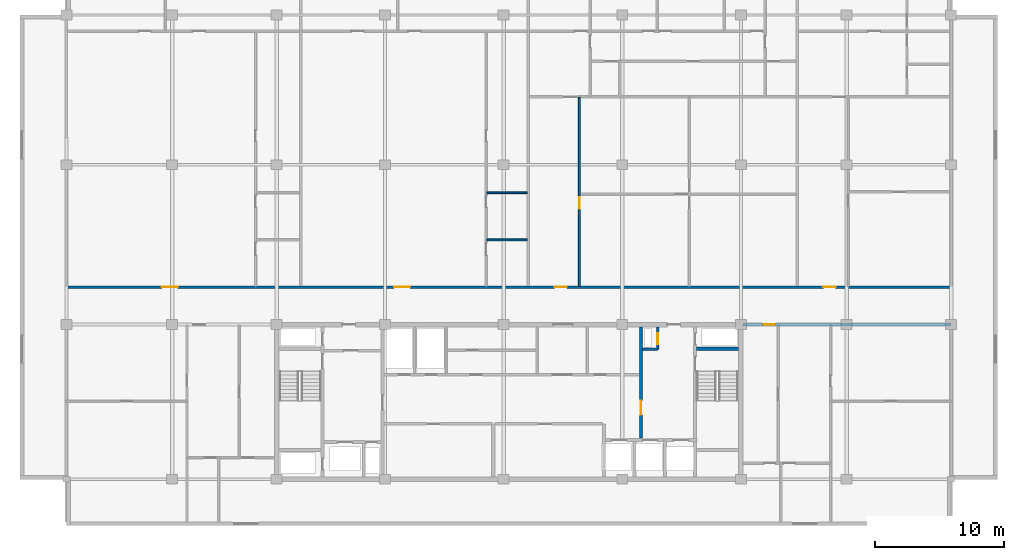
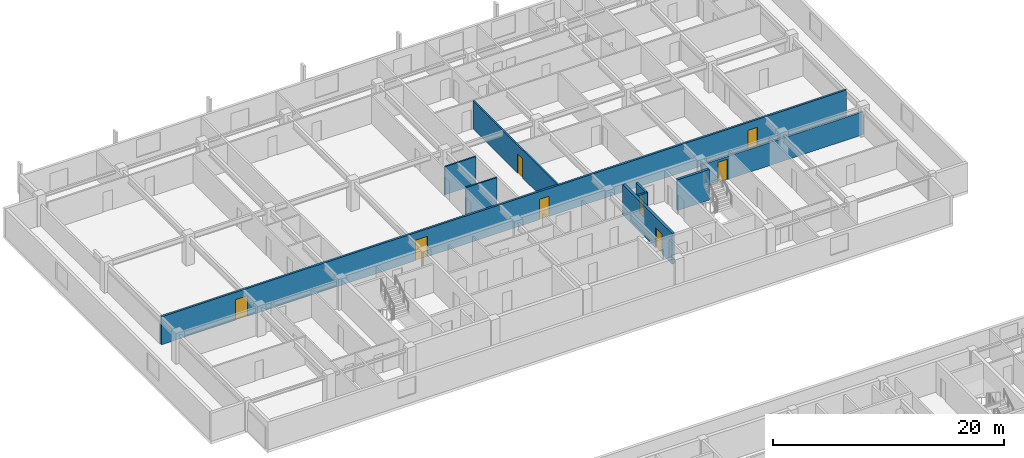
# One storey, part 13 of 22: 9 walls, 8 doors, 8 openings.
"""IFC4 building model written with IfcOpenShell, lengths in metres."""

from ifc_helpers import new_model, si_unit, direction, frame, frame_2d, origin, place, context, subcontext, project, spatial, rectangle, extrude, material, layer, layer_set, type_object, element, fill, save


model = new_model("IFC4")

# Units and contexts
model_context = context("Model", 3, precision=1e-05, world=origin(), true_north=direction((0.0, 1.0)))
body_context = subcontext(model_context, "Body", "Model", "MODEL_VIEW")
ifc_project = project(units=[si_unit("LENGTHUNIT", "METRE"), si_unit("AREAUNIT", "SQUARE_METRE"), si_unit("VOLUMEUNIT", "CUBIC_METRE"), si_unit("PLANEANGLEUNIT", "RADIAN"), si_unit("MASSUNIT", "GRAM", prefix="KILO")], contexts=[model_context])

# Site, building, storey
site_placement = place(None, origin())
site = spatial("IfcSite", under=ifc_project, at=site_placement, CompositionType="ELEMENT")
building_placement = place(site_placement, origin())
building = spatial("IfcBuilding", under=site, at=building_placement, Name="Korimba Cascade Residences", CompositionType="ELEMENT")
storey_placement = place(building_placement, frame((0.0, 0.0, 194.60009765625)))
storey = spatial("IfcBuildingStorey", under=building, at=storey_placement, Name="L56", CompositionType="ELEMENT", Elevation=194.60009765625)

# Wall, opening, door
ifc_material_1 = material(Name="Precast concrete C40/50", Category="concrete")
ifc_layer_1 = layer(ifc_material_1, 0.199951171875)
ifc_layer_set_1 = layer_set([ifc_layer_1], Name="Precast concrete C40/50")
wall_type_1 = type_object("IfcWallType", Name="WAL-IT-200", PredefinedType="PARTITIONING", material=ifc_layer_set_1)
wall_1_placement = place(storey_placement, frame((112.25, 67.199951171875, 0.0), z_axis=(0.0, 0.0, 1.0), x_axis=(1.0, 0.0, 0.0)))
wall_1 = element("IfcWall", 1, at=wall_1_placement, inside=storey, type_object=wall_type_1, Name="L56 Partition Wall WAL-L56-T1-FE-N", PredefinedType="PARTITIONING", context=body_context, shape_type="SweptSolid", body=[
    extrude(rectangle(XDim=16.14990234375, YDim=0.199951171875, at=frame_2d((8.074951171875, 0.0))), origin(), (0.0, 0.0, 1.0), 2.43310546875),
])
opening_1_placement = place(wall_1_placement, frame((1.580078125, 0.0, 0.0)))
opening_1 = element("IfcOpeningElement", 2, at=opening_1_placement, cuts=wall_1, Name="Opening D-UN1", PredefinedType="OPENING", context=body_context, shape_type="SweptSolid", body=[
    extrude(rectangle(XDim=0.949951171875, YDim=2.14990234375, at=frame_2d((0.47509765625, 1.074951171875))), frame((0.0, 0.10986328125, 0.0), z_axis=(0.0, -1.0, 0.0), x_axis=(1.0, 0.0, 0.0)), (0.0, 0.0, 1.0), 0.219970703125),
])
ifc_material_2 = material(Name="Fire-Rated Hardwood Apartment Entrance Door", Category="wood")
door_type_1 = type_object("IfcDoorType", Name="DR-FD60-950", OperationType="NOTDEFINED", PredefinedType="DOOR", material=ifc_material_2)
door_1_placement = place(opening_1_placement, origin())
door_1 = element("IfcDoor", 3, at=door_1_placement, inside=storey, type_object=door_type_1, Name="L56-T1-FE Entrance Door", OperationType="SINGLE_SWING_LEFT", OverallHeight=2.14990234375, OverallWidth=0.949951171875, PredefinedType="DOOR", context=body_context, shape_type="SweptSolid", body=[
    extrude(rectangle(XDim=0.949951171875, YDim=2.14990234375, at=frame_2d((0.47509765625, 1.074951171875))), frame((0.0, 0.02490234375, 0.0), z_axis=(0.0, -1.0, 0.0), x_axis=(1.0, 0.0, 0.0)), (0.0, 0.0, 1.0), 0.050048828125),
])
fill(opening_1, door_1)

# Wall, openings, doors
wall_2_placement = place(storey_placement, frame((59.800048828125, 70.10009765625, 0.0), z_axis=(0.0, 0.0, 1.0), x_axis=(1.0, 0.0, 0.0)))
wall_2 = element("IfcWall", 4, at=wall_2_placement, inside=storey, type_object=wall_type_1, Name="L56 Partition Wall WAL-L56-T1-CORN", PredefinedType="PARTITIONING", context=body_context, shape_type="SweptSolid", body=[
    extrude(rectangle(XDim=68.599853515625, YDim=0.199951171875, at=frame_2d((34.2998046875, 0.0))), origin(), (0.0, 0.0, 1.0), 2.969970703125),
])
opening_2_placement = place(wall_2_placement, frame((7.39404296875, 0.0, 0.0)))
opening_2 = element("IfcOpeningElement", 5, at=opening_2_placement, cuts=wall_2, Name="Opening D-AM1", PredefinedType="OPENING", context=body_context, shape_type="SweptSolid", body=[
    extrude(rectangle(XDim=1.219970703125, YDim=2.179931640625, at=frame_2d((0.60986328125, 1.08984375))), frame((0.0, 0.10986328125, 0.0), z_axis=(0.0, -1.0, 0.0), x_axis=(1.0, 0.0, 0.0)), (0.0, 0.0, 1.0), 0.219970703125),
])
opening_3_placement = place(wall_2_placement, frame((25.414794921875, 0.0, 0.0)))
opening_3 = element("IfcOpeningElement", 6, at=opening_3_placement, cuts=wall_2, Name="Opening D-AM1", PredefinedType="OPENING", context=body_context, shape_type="SweptSolid", body=[
    extrude(rectangle(XDim=1.219970703125, YDim=2.179931640625, at=frame_2d((0.60986328125, 1.08984375))), frame((0.0, 0.10986328125, 0.0), z_axis=(0.0, -1.0, 0.0), x_axis=(1.0, 0.0, 0.0)), (0.0, 0.0, 1.0), 0.219970703125),
])
opening_4_placement = place(wall_2_placement, frame((37.8564453125, 0.0, 0.0)))
opening_4 = element("IfcOpeningElement", 7, at=opening_4_placement, cuts=wall_2, Name="Opening D-UN1", PredefinedType="OPENING", context=body_context, shape_type="SweptSolid", body=[
    extrude(rectangle(XDim=0.949951171875, YDim=2.14990234375, at=frame_2d((0.47509765625, 1.074951171875))), frame((0.0, 0.10986328125, 0.0), z_axis=(0.0, -1.0, 0.0), x_axis=(1.0, 0.0, 0.0)), (0.0, 0.0, 1.0), 0.219970703125),
])
opening_5_placement = place(wall_2_placement, frame((58.697265625, 0.0, 0.0)))
opening_5 = element("IfcOpeningElement", 8, at=opening_5_placement, cuts=wall_2, Name="Opening D-UN1", PredefinedType="OPENING", context=body_context, shape_type="SweptSolid", body=[
    extrude(rectangle(XDim=0.949951171875, YDim=2.14990234375, at=frame_2d((0.47509765625, 1.074951171875))), frame((0.0, 0.10986328125, 0.0), z_axis=(0.0, -1.0, 0.0), x_axis=(1.0, 0.0, 0.0)), (0.0, 0.0, 1.0), 0.219970703125),
])
ifc_material_3 = material(Name="Fire-Rated Glazed Timber Suite Door", Category="wood")
door_type_2 = type_object("IfcDoorType", Name="DR-FD60-1200", OperationType="NOTDEFINED", PredefinedType="DOOR", material=ifc_material_3)
door_2_placement = place(opening_2_placement, origin())
door_2 = element("IfcDoor", 9, at=door_2_placement, inside=storey, type_object=door_type_2, Name="L56-T1-U01 Promenade Design Showroom Door", OperationType="SINGLE_SWING_LEFT", OverallHeight=2.179931640625, OverallWidth=1.219970703125, PredefinedType="DOOR", context=body_context, shape_type="SweptSolid", body=[
    extrude(rectangle(XDim=1.219970703125, YDim=2.179931640625, at=frame_2d((0.60986328125, 1.08984375))), frame((0.0, 0.02490234375, 0.0), z_axis=(0.0, -1.0, 0.0), x_axis=(1.0, 0.0, 0.0)), (0.0, 0.0, 1.0), 0.050048828125),
])
fill(opening_2, door_2)
door_3_placement = place(opening_3_placement, origin())
door_3 = element("IfcDoor", 10, at=door_3_placement, inside=storey, type_object=door_type_2, Name="L56-T1-U02 Architecture Reading Library Door", OperationType="SINGLE_SWING_RIGHT", OverallHeight=2.179931640625, OverallWidth=1.219970703125, PredefinedType="DOOR", context=body_context, shape_type="SweptSolid", body=[
    extrude(rectangle(XDim=1.219970703125, YDim=2.179931640625, at=frame_2d((0.60986328125, 1.08984375))), frame((0.0, 0.02490234375, 0.0), z_axis=(0.0, -1.0, 0.0), x_axis=(1.0, 0.0, 0.0)), (0.0, 0.0, 1.0), 0.050048828125),
])
fill(opening_3, door_3)
door_4_placement = place(opening_4_placement, origin())
door_4 = element("IfcDoor", 11, at=door_4_placement, inside=storey, type_object=door_type_1, Name="Unit L56-T1-U03 Entrance Door", OperationType="SINGLE_SWING_LEFT", OverallHeight=2.14990234375, OverallWidth=0.949951171875, PredefinedType="DOOR", context=body_context, shape_type="SweptSolid", body=[
    extrude(rectangle(XDim=0.949951171875, YDim=2.14990234375, at=frame_2d((0.47509765625, 1.074951171875))), frame((0.0, 0.02490234375, 0.0), z_axis=(0.0, -1.0, 0.0), x_axis=(1.0, 0.0, 0.0)), (0.0, 0.0, 1.0), 0.050048828125),
])
fill(opening_4, door_4)
door_5_placement = place(opening_5_placement, origin())
door_5 = element("IfcDoor", 12, at=door_5_placement, inside=storey, type_object=door_type_1, Name="Unit L56-T1-U04 Entrance Door", OperationType="SINGLE_SWING_RIGHT", OverallHeight=2.14990234375, OverallWidth=0.949951171875, PredefinedType="DOOR", context=body_context, shape_type="SweptSolid", body=[
    extrude(rectangle(XDim=0.949951171875, YDim=2.14990234375, at=frame_2d((0.47509765625, 1.074951171875))), frame((0.0, 0.02490234375, 0.0), z_axis=(0.0, -1.0, 0.0), x_axis=(1.0, 0.0, 0.0)), (0.0, 0.0, 1.0), 0.050048828125),
])
fill(opening_5, door_5)

# Walls
ifc_material_4 = material(Name="Insulated Acoustic Stud Partition", Category="gypsum")
ifc_layer_2 = layer(ifc_material_4, 0.14990234375)
ifc_layer_set_2 = layer_set([ifc_layer_2], Name="Insulated Acoustic Stud Partition")
wall_type_2 = type_object("IfcWallType", Name="WAL-PART-150", PredefinedType="PARTITIONING", material=ifc_layer_set_2)
for number, where, z_axis, x_axis, name in (
    (13, (92.4013671875, 73.77001953125, 0.0), (0.0, 0.0, 1.0), (1.0, 0.0, 0.0), "L56 Partition Wall WAL-L56-T1-U02-WCH"),
    (14, (92.4013671875, 77.419921875, 0.0), (0.0, 0.0, 1.0), (1.0, 0.0, 0.0), "L56 Partition Wall WAL-L56-T1-U02-WCH2"),
):
    element("IfcWall", number, at=place(storey_placement, frame(where, z_axis=z_axis, x_axis=x_axis)), inside=storey, type_object=wall_type_2, Name=name, PredefinedType="PARTITIONING", context=body_context, shape_type="SweptSolid", body=[
        extrude(rectangle(XDim=3.130126953125, YDim=0.14990234375, at=frame_2d((1.56494140625, 0.0))), origin(), (0.0, 0.0, 1.0), 2.969970703125),
    ])

# Wall, opening, door
wall_3_placement = place(storey_placement, frame((99.581298828125, 70.159912109375, 0.0), z_axis=(0.0, 0.0, 1.0), x_axis=(0.0, 1.0, 0.0)))
wall_3 = element("IfcWall", 15, at=wall_3_placement, inside=storey, type_object=wall_type_2, Name="L56 Partition Wall WAL-L56-T1-U03-FV", PredefinedType="PARTITIONING", context=body_context, shape_type="SweptSolid", body=[
    extrude(rectangle(XDim=14.650146484375, YDim=0.14990234375, at=frame_2d((7.3251953125, 0.0))), origin(), (0.0, 0.0, 1.0), 2.969970703125),
])
opening_6_placement = place(wall_3_placement, frame((6.014892578125, 0.0, 0.0)))
opening_6 = element("IfcOpeningElement", 16, at=opening_6_placement, cuts=wall_3, Name="Opening D-IN2", PredefinedType="OPENING", context=body_context, shape_type="SweptSolid", body=[
    extrude(rectangle(XDim=0.8798828125, YDim=2.06005859375, at=frame_2d((0.43994140625, 1.030029296875))), frame((0.0, 0.0849609375, 0.0), z_axis=(0.0, -1.0, 0.0), x_axis=(1.0, 0.0, 0.0)), (0.0, 0.0, 1.0), 0.169921875),
])
ifc_material_5 = material(Name="Acoustic Timber Bedroom Door", Category="wood")
door_type_3 = type_object("IfcDoorType", Name="DR-INT-880", OperationType="NOTDEFINED", PredefinedType="DOOR", material=ifc_material_5)
door_6_placement = place(opening_6_placement, origin())
door_6 = element("IfcDoor", 17, at=door_6_placement, inside=storey, type_object=door_type_3, Name="L56-T1-U03 Media Lounge Door", OperationType="SINGLE_SWING_LEFT", OverallHeight=2.06005859375, OverallWidth=0.8798828125, PredefinedType="DOOR", context=body_context, shape_type="SweptSolid", body=[
    extrude(rectangle(XDim=0.8798828125, YDim=2.06005859375, at=frame_2d((0.43994140625, 1.030029296875))), frame((0.0, 0.02490234375, 0.0), z_axis=(0.0, -1.0, 0.0), x_axis=(1.0, 0.0, 0.0)), (0.0, 0.0, 1.0), 0.050048828125),
])
fill(opening_6, door_6)

# Wall
ifc_material_6 = material(Name="Concrete C40/50", Category="concrete")
ifc_layer_3 = layer(ifc_material_6, 0.199951171875)
ifc_layer_set_3 = layer_set([ifc_layer_3], Name="Concrete C40/50")
wall_type_3 = type_object("IfcWallType", Name="WAL-PART-200", PredefinedType="PARTITIONING", material=ifc_layer_set_3)
wall_4_placement = place(storey_placement, frame((104.449951171875, 65.280029296875, 0.0), z_axis=(0.0, 0.0, 1.0), x_axis=(1.0, 0.0, 0.0)))
element("IfcWall", 18, at=wall_4_placement, inside=storey, type_object=wall_type_3, Name="L56 Partition Wall CW-L56-T1-HYDW2S", PredefinedType="PARTITIONING", context=body_context, shape_type="SweptSolid", body=[
    extrude(rectangle(XDim=1.199951171875, YDim=0.199951171875, at=frame_2d((0.60009765625, 0.0))), origin(), (0.0, 0.0, 1.0), 2.969970703125),
])

# Wall, opening, door
wall_5_placement = place(storey_placement, frame((105.64990234375, 65.280029296875, 0.0), z_axis=(0.0, 0.0, 1.0), x_axis=(0.0, 1.0, 0.0)))
wall_5 = element("IfcWall", 19, at=wall_5_placement, inside=storey, type_object=wall_type_3, Name="L56 Partition Wall CW-L56-T1-HYDW2E", PredefinedType="PARTITIONING", context=body_context, shape_type="SweptSolid", body=[
    extrude(rectangle(XDim=1.719970703125, YDim=0.199951171875, at=frame_2d((0.85986328125, 0.0))), origin(), (0.0, 0.0, 1.0), 2.969970703125),
])
opening_7_placement = place(wall_5_placement, frame((0.39990234375, 0.0, 0.0)))
opening_7 = element("IfcOpeningElement", 20, at=opening_7_placement, cuts=wall_5, Name="Opening D-RS1", PredefinedType="OPENING", context=body_context, shape_type="SweptSolid", body=[
    extrude(rectangle(XDim=0.85009765625, YDim=2.050048828125, at=frame_2d((0.425048828125, 1.02490234375))), frame((0.0, 0.10986328125, 0.0), z_axis=(0.0, -1.0, 0.0), x_axis=(1.0, 0.0, 0.0)), (0.0, 0.0, 1.0), 0.219970703125),
])
ifc_material_7 = material(Name="Fire-Rated Steel Riser Access Door", Category="steel")
door_type_4 = type_object("IfcDoorType", Name="DR-FD60-850", OperationType="NOTDEFINED", PredefinedType="DOOR", material=ifc_material_7)
door_7_placement = place(opening_7_placement, origin())
door_7 = element("IfcDoor", 21, at=door_7_placement, inside=storey, type_object=door_type_4, Name="L56 East Hydrant Door", OperationType="SINGLE_SWING_RIGHT", OverallHeight=2.050048828125, OverallWidth=0.85009765625, PredefinedType="DOOR", context=body_context, shape_type="SweptSolid", body=[
    extrude(rectangle(XDim=0.85009765625, YDim=2.050048828125, at=frame_2d((0.425048828125, 1.02490234375))), frame((0.0, 0.02490234375, 0.0), z_axis=(0.0, -1.0, 0.0), x_axis=(1.0, 0.0, 0.0)), (0.0, 0.0, 1.0), 0.050048828125),
])
fill(opening_7, door_7)

ifc_material_8 = material(Name="Concrete C50/60", Category="concrete")
ifc_layer_4 = layer(ifc_material_8, 0.25)
ifc_layer_set_4 = layer_set([ifc_layer_4], Name="Concrete C50/60")
wall_type_4 = type_object("IfcWallType", Name="WAL-SHAFT-250", PredefinedType="SHEAR", material=ifc_layer_set_4)
wall_6_placement = place(storey_placement, frame((104.35009765625, 58.39990234375, 0.0), z_axis=(0.0, 0.0, 1.0), x_axis=(0.0, 1.0, 0.0)))
wall_6 = element("IfcWall", 22, at=wall_6_placement, inside=storey, type_object=wall_type_4, Name="L56 Core Shear Wall CW-L56-T1-LLEV", PredefinedType="SHEAR", context=body_context, shape_type="SweptSolid", body=[
    extrude(rectangle(XDim=8.60009765625, YDim=0.25, at=frame_2d((4.300048828125, 0.0))), origin(), (0.0, 0.0, 1.0), 3.25),
])
opening_8_placement = place(wall_6_placement, frame((1.800048828125, 0.0, 0.0)))
opening_8 = element("IfcOpeningElement", 23, at=opening_8_placement, cuts=wall_6, Name="Opening D-FD1", PredefinedType="OPENING", context=body_context, shape_type="SweptSolid", body=[
    extrude(rectangle(XDim=1.10009765625, YDim=2.10009765625, at=frame_2d((0.550048828125, 1.050048828125))), frame((0.0, 0.135009765625, 0.0), z_axis=(0.0, -1.0, 0.0), x_axis=(1.0, 0.0, 0.0)), (0.0, 0.0, 1.0), 0.27001953125),
])
ifc_material_9 = material(Name="Fire-Rated Steel Core Door", Category="steel")
door_type_5 = type_object("IfcDoorType", Name="DR-FD120-1100", OperationType="NOTDEFINED", PredefinedType="DOOR", material=ifc_material_9)
door_8_placement = place(opening_8_placement, origin())
door_8 = element("IfcDoor", 24, at=door_8_placement, inside=storey, type_object=door_type_5, Name="L56 Lift Lobby to East Firefighting Lobby Door", OperationType="SINGLE_SWING_LEFT", OverallHeight=2.10009765625, OverallWidth=1.10009765625, PredefinedType="DOOR", context=body_context, shape_type="SweptSolid", body=[
    extrude(rectangle(XDim=1.10009765625, YDim=2.10009765625, at=frame_2d((0.550048828125, 1.050048828125))), frame((0.0, 0.02490234375, 0.0), z_axis=(0.0, -1.0, 0.0), x_axis=(1.0, 0.0, 0.0)), (0.0, 0.0, 1.0), 0.050048828125),
])
fill(opening_8, door_8)

# Wall
wall_7_placement = place(storey_placement, frame((108.659912109375, 65.324951171875, 0.0), z_axis=(0.0, 0.0, 1.0), x_axis=(1.0, 0.0, 0.0)))
element("IfcWall", 25, at=wall_7_placement, inside=storey, type_object=wall_type_4, Name="L56 Core Shear Wall CW-L56-T1-STW2N", PredefinedType="SHEAR", context=body_context, shape_type="SweptSolid", body=[
    extrude(rectangle(XDim=3.239990234375, YDim=0.25, at=frame_2d((1.6201171875, 0.0))), origin(), (0.0, 0.0, 1.0), 3.25),
])

save(model, "model.ifc")
